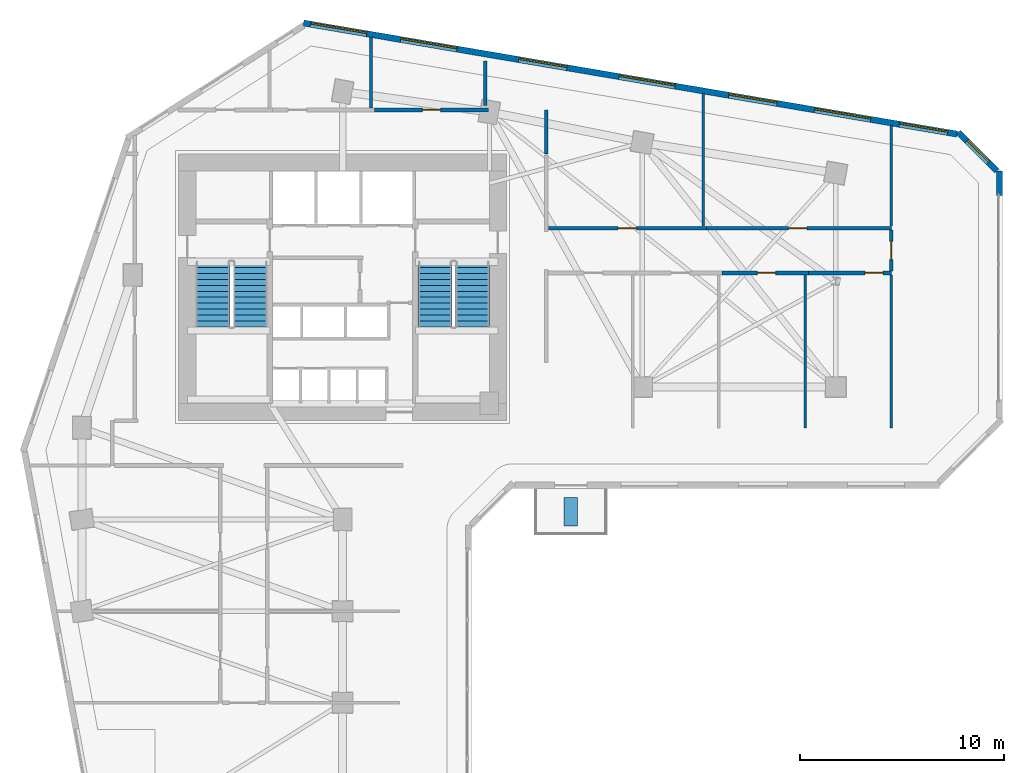
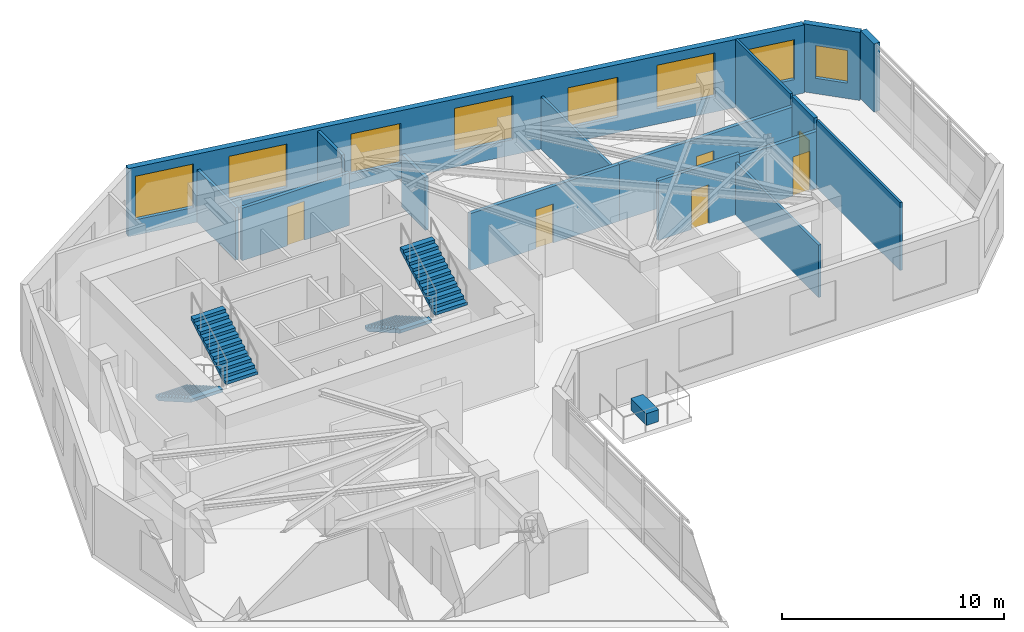
# One storey, part 7 of 9: 16 walls, 8 windows, 6 doors, 4 stair flights, 1 discrete accessory, 14 openings, 2 elements without a shape of their own.
"""IFC4 building model written with IfcOpenShell, lengths in metres."""

from ifc_helpers import new_model, si_unit, direction, frame, frame_2d, origin, origin_2d, place, context, subcontext, project, spatial, polyline, rectangle, outline, extrude, source, transform, mapped, material, layer, layer_set, type_object, element, fill, aggregate, save


model = new_model("IFC4")

# Units and contexts
model_context = context("Model", 3, precision=1e-05, world=origin(), true_north=direction((0.0, 1.0)))
body_context = subcontext(model_context, "Body", "Model", "MODEL_VIEW")
ifc_project = project(units=[si_unit("LENGTHUNIT", "METRE"), si_unit("AREAUNIT", "SQUARE_METRE"), si_unit("VOLUMEUNIT", "CUBIC_METRE"), si_unit("PLANEANGLEUNIT", "RADIAN"), si_unit("MASSUNIT", "GRAM", prefix="KILO")], contexts=[model_context])

# Site, building, storey
site_placement = place(None, origin())
site = spatial("IfcSite", under=ifc_project, at=site_placement, CompositionType="ELEMENT")
building_placement = place(site_placement, origin())
building = spatial("IfcBuilding", under=site, at=building_placement, Name="Calvemar Wedge Station Tower", CompositionType="ELEMENT")
storey_placement = place(building_placement, frame((0.0, 0.0, 91.0)))
storey = spatial("IfcBuildingStorey", under=building, at=storey_placement, Name="L22", CompositionType="ELEMENT", Elevation=91.0)

# Wall, opening, door
ifc_material_1 = material(Name="Double-stud fire-rated corridor partition")
ifc_layer_1 = layer(ifc_material_1, 0.179931640625)
ifc_layer_set_1 = layer_set([ifc_layer_1], Name="Double-stud fire-rated corridor partition")
wall_type_1 = type_object("IfcWallType", Name="W-CORR-180", PredefinedType="PARTITIONING", material=ifc_layer_set_1)
wall_1_placement = place(storey_placement, frame((25.362060546875, 48.60009765625, 0.0), z_axis=(0.0, 0.0, 1.0), x_axis=(1.0, 0.0, 0.0)))
wall_1 = element("IfcWall", 1, at=wall_1_placement, inside=storey, type_object=wall_type_1, Name="Storey L22 Interior Partition WL-L22-012", PredefinedType="PARTITIONING", context=body_context, shape_type="SweptSolid", body=[
    extrude(rectangle(XDim=5.597900390625, YDim=0.179931640625, at=frame_2d((2.798828125, 0.0))), origin(), (0.0, 0.0, 1.0), 2.89208984375),
])
shared_shape_1 = source(origin(), body_context, "Body", "SweptSolid", [
    extrude(rectangle(XDim=0.89990234375, YDim=2.14990234375, at=frame_2d((0.449951171875, 1.074951171875))), frame((0.0, 0.10009765625, 0.0), z_axis=(0.0, -1.0, 0.0), x_axis=(1.0, 0.0, 0.0)), (0.0, 0.0, 1.0), 0.199951171875),
])
opening_1_placement = place(wall_1_placement, frame((2.34912109375, 0.0, 0.0)))
opening_1 = element("IfcOpeningElement", 2, at=opening_1_placement, cuts=wall_1, Name="Opening D-01", PredefinedType="OPENING", context=body_context, shape_type="MappedRepresentation", body=[
    mapped(shared_shape_1, transform((0.0, 0.0, 0.0), scale=1.0)),
])
ifc_material_2 = material(Name="Architectural hardwood acoustic swing door", Category="wood")
door_type = type_object("IfcDoorType", Name="DR-INT-900", OperationType="NOTDEFINED", PredefinedType="DOOR", material=ifc_material_2)
shared_shape_2 = source(origin(), body_context, "Body", "SweptSolid", [
    extrude(rectangle(XDim=0.89990234375, YDim=2.14990234375, at=frame_2d((0.449951171875, 1.074951171875))), frame((0.0, 0.02490234375, 0.0), z_axis=(0.0, -1.0, 0.0), x_axis=(1.0, 0.0, 0.0)), (0.0, 0.0, 1.0), 0.050048828125),
])
door_1_placement = place(opening_1_placement, origin())
door_1 = element("IfcDoor", 3, at=door_1_placement, inside=storey, type_object=door_type, Name="L22 Female Toilet Door", OperationType="SINGLE_SWING_RIGHT", OverallHeight=2.14990234375, OverallWidth=0.89990234375, PredefinedType="DOOR", context=body_context, shape_type="MappedRepresentation", body=[
    mapped(shared_shape_2, transform((0.0, 0.0, 0.0), scale=1.0)),
])
fill(opening_1, door_1)

# Wall
wall_2_placement = place(storey_placement, frame((33.800048828125, 48.60009765625, 0.0), z_axis=(0.0, 0.0, 1.0), x_axis=(0.0, -1.0, 0.0)))
element("IfcWall", 4, at=wall_2_placement, inside=storey, type_object=wall_type_1, Name="Storey L22 Interior Partition WL-L22-013", PredefinedType="PARTITIONING", context=body_context, shape_type="SweptSolid", body=[
    extrude(rectangle(XDim=2.150146484375, YDim=0.179931640625, at=frame_2d((1.0751953125, 0.0))), origin(), (0.0, 0.0, 1.0), 2.89208984375),
])

# Wall, opening, door
wall_3_placement = place(storey_placement, frame((46.660888671875, 40.60009765625, 0.0), z_axis=(0.0, 0.0, 1.0), x_axis=(-1.0, 0.0, 0.0)))
wall_3 = element("IfcWall", 5, at=wall_3_placement, inside=storey, type_object=wall_type_1, Name="Storey L22 Interior Partition WL-L22-021", PredefinedType="PARTITIONING", context=body_context, shape_type="SweptSolid", body=[
    extrude(rectangle(XDim=4.23193359375, YDim=0.179931640625, at=frame_2d((2.115966796875, 0.0))), origin(), (0.0, 0.0, 1.0), 3.279052734375),
])
opening_2_placement = place(wall_3_placement, frame((1.605712890625, 0.0, 0.0)))
opening_2 = element("IfcOpeningElement", 6, at=opening_2_placement, cuts=wall_3, Name="Opening D-01", PredefinedType="OPENING", context=body_context, shape_type="MappedRepresentation", body=[
    mapped(shared_shape_1, transform((0.0, 0.0, 0.0), scale=1.0)),
])
door_2_placement = place(opening_2_placement, origin())
door_2 = element("IfcDoor", 7, at=door_2_placement, inside=storey, type_object=door_type, Name="L22 Co-Working Studio Door", OperationType="SINGLE_SWING_LEFT", OverallHeight=2.14990234375, OverallWidth=0.89990234375, PredefinedType="DOOR", context=body_context, shape_type="MappedRepresentation", body=[
    mapped(shared_shape_2, transform((0.0, 0.0, 0.0), scale=1.0)),
])
fill(opening_2, door_2)

wall_4_placement = place(storey_placement, frame((50.735107421875, 40.60009765625, 0.0), z_axis=(0.0, 0.0, 1.0), x_axis=(-1.0, 0.0, 0.0)))
wall_4 = element("IfcWall", 8, at=wall_4_placement, inside=storey, type_object=wall_type_1, Name="Storey L22 Interior Partition WL-L22-022", PredefinedType="PARTITIONING", context=body_context, shape_type="SweptSolid", body=[
    extrude(rectangle(XDim=4.072021484375, YDim=0.179931640625, at=frame_2d((2.0361328125, 0.0))), origin(), (0.0, 0.0, 1.0), 3.125),
])
opening_3_placement = place(wall_4_placement, frame((0.404296875, 0.0, 0.0)))
opening_3 = element("IfcOpeningElement", 9, at=opening_3_placement, cuts=wall_4, Name="Opening D-01", PredefinedType="OPENING", context=body_context, shape_type="MappedRepresentation", body=[
    mapped(shared_shape_1, transform((0.0, 0.0, 0.0), scale=1.0)),
])
door_3_placement = place(opening_3_placement, origin())
door_3 = element("IfcDoor", 10, at=door_3_placement, inside=storey, type_object=door_type, Name="L22 Meeting Room Door", OperationType="SINGLE_SWING_RIGHT", OverallHeight=2.14990234375, OverallWidth=0.89990234375, PredefinedType="DOOR", context=body_context, shape_type="MappedRepresentation", body=[
    mapped(shared_shape_2, transform((0.0, 0.0, 0.0), scale=1.0)),
])
fill(opening_3, door_3)

wall_5_placement = place(storey_placement, frame((33.89404296875, 42.800048828125, 0.0), z_axis=(0.0, 0.0, 1.0), x_axis=(1.0, 0.0, 0.0)))
wall_5 = element("IfcWall", 11, at=wall_5_placement, inside=storey, type_object=wall_type_1, Name="Storey L22 Interior Partition WL-L22-023", PredefinedType="PARTITIONING", context=body_context, shape_type="SweptSolid", body=[
    extrude(rectangle(XDim=7.765869140625, YDim=0.179931640625, at=frame_2d((3.8828125, 0.0))), origin(), (0.0, 0.0, 1.0), 3.125),
])
opening_4_placement = place(wall_5_placement, frame((3.43310546875, 0.0, 0.0)))
opening_4 = element("IfcOpeningElement", 12, at=opening_4_placement, cuts=wall_5, Name="Opening D-01", PredefinedType="OPENING", context=body_context, shape_type="MappedRepresentation", body=[
    mapped(shared_shape_1, transform((0.0, 0.0, 0.0), scale=1.0)),
])
door_4_placement = place(opening_4_placement, origin())
door_4 = element("IfcDoor", 13, at=door_4_placement, inside=storey, type_object=door_type, Name="L22 Meeting Room Door", OperationType="SINGLE_SWING_LEFT", OverallHeight=2.14990234375, OverallWidth=0.89990234375, PredefinedType="DOOR", context=body_context, shape_type="MappedRepresentation", body=[
    mapped(shared_shape_2, transform((0.0, 0.0, 0.0), scale=1.0)),
])
fill(opening_4, door_4)

wall_6_placement = place(storey_placement, frame((41.662109375, 42.800048828125, 0.0), z_axis=(0.0, 0.0, 1.0), x_axis=(1.0, 0.0, 0.0)))
wall_6 = element("IfcWall", 14, at=wall_6_placement, inside=storey, type_object=wall_type_1, Name="Storey L22 Interior Partition WL-L22-024", PredefinedType="PARTITIONING", context=body_context, shape_type="SweptSolid", body=[
    extrude(rectangle(XDim=9.072998046875, YDim=0.179931640625, at=frame_2d((4.53662109375, 0.0))), origin(), (0.0, 0.0, 1.0), 3.125),
])
opening_5_placement = place(wall_6_placement, frame((4.026123046875, 0.0, 0.0)))
opening_5 = element("IfcOpeningElement", 15, at=opening_5_placement, cuts=wall_6, Name="Opening D-01", PredefinedType="OPENING", context=body_context, shape_type="MappedRepresentation", body=[
    mapped(shared_shape_1, transform((0.0, 0.0, 0.0), scale=1.0)),
])
door_5_placement = place(opening_5_placement, origin())
door_5 = element("IfcDoor", 16, at=door_5_placement, inside=storey, type_object=door_type, Name="L22 Co-Working Studio Door", OperationType="SINGLE_SWING_RIGHT", OverallHeight=2.14990234375, OverallWidth=0.89990234375, PredefinedType="DOOR", context=body_context, shape_type="MappedRepresentation", body=[
    mapped(shared_shape_2, transform((0.0, 0.0, 0.0), scale=1.0)),
])
fill(opening_5, door_5)

wall_7_placement = place(storey_placement, frame((50.735107421875, 42.7060546875, 0.0), z_axis=(0.0, 0.0, 1.0), x_axis=(0.0, -1.0, 0.0)))
wall_7 = element("IfcWall", 17, at=wall_7_placement, inside=storey, type_object=wall_type_1, Name="Storey L22 Interior Partition WL-L22-025", PredefinedType="PARTITIONING", context=body_context, shape_type="SweptSolid", body=[
    extrude(rectangle(XDim=2.011962890625, YDim=0.179931640625, at=frame_2d((1.005859375, 0.0))), origin(), (0.0, 0.0, 1.0), 3.75),
])
opening_6_placement = place(wall_7_placement, frame((0.555908203125, 0.0, 0.0)))
opening_6 = element("IfcOpeningElement", 18, at=opening_6_placement, cuts=wall_7, Name="Opening D-01", PredefinedType="OPENING", context=body_context, shape_type="MappedRepresentation", body=[
    mapped(shared_shape_1, transform((0.0, 0.0, 0.0), scale=1.0)),
])
door_6_placement = place(opening_6_placement, origin())
door_6 = element("IfcDoor", 19, at=door_6_placement, inside=storey, type_object=door_type, Name="L22 Conference Hall Door", OperationType="SINGLE_SWING_LEFT", OverallHeight=2.14990234375, OverallWidth=0.89990234375, PredefinedType="DOOR", context=body_context, shape_type="MappedRepresentation", body=[
    mapped(shared_shape_2, transform((0.0, 0.0, 0.0), scale=1.0)),
])
fill(opening_6, door_6)

# Wall
ifc_material_3 = material(Name="Precast concrete C45", Category="concrete")
ifc_layer_2 = layer(ifc_material_3, 0.300048828125)
ifc_layer_set_2 = layer_set([ifc_layer_2], Name="Precast concrete C45")
wall_type_2 = type_object("IfcWallType", Name="W-EXT-GFRC-300", PredefinedType="SOLIDWALL", material=ifc_layer_set_2)
wall_8_placement = place(storey_placement, frame((56.050048828125, 44.390869140625, 0.0), z_axis=(0.0, 0.0, 1.0), x_axis=(0.0, 1.0, 0.0)))
element("IfcWall", 20, at=wall_8_placement, inside=storey, type_object=wall_type_2, Name="Storey L22 Bronze GFRC Corner Pier 8B", PredefinedType="SOLIDWALL", context=body_context, shape_type="SweptSolid", body=[
    extrude(rectangle(XDim=1.22509765625, YDim=0.300048828125, at=frame_2d((0.612548828125, 0.0))), origin(), (0.0, 0.0, 1.0), 3.75),
])

# Wall, opening, window
wall_9_placement = place(storey_placement, frame((55.912109375, 45.60400390625, 0.0), z_axis=(0.0, 0.0, 1.0), x_axis=(-0.707152443695, 0.707061115729, 0.0)))
wall_9 = element("IfcWall", 21, at=wall_9_placement, inside=storey, type_object=wall_type_2, Name="Storey L22 Bronze GFRC Exterior Wall 9", PredefinedType="SOLIDWALL", context=body_context, shape_type="SweptSolid", body=[
    extrude(rectangle(XDim=2.67333984375, YDim=0.300048828125, at=frame_2d((1.336669921875, 0.0))), origin(), (0.0, 0.0, 1.0), 3.75),
])
shared_shape_3 = source(origin(), body_context, "Body", "SweptSolid", [
    extrude(rectangle(XDim=1.5, YDim=1.800048828125, at=frame_2d((0.75, 0.89990234375))), frame((0.0, 0.16015625, 0.0), z_axis=(0.0, -1.0, 0.0), x_axis=(1.0, 0.0, 0.0)), (0.0, 0.0, 1.0), 0.320068359375),
])
opening_7_placement = place(wall_9_placement, frame((0.5869140625, 0.0, 0.85009765625)))
opening_7 = element("IfcOpeningElement", 22, at=opening_7_placement, cuts=wall_9, Name="Opening W3", PredefinedType="OPENING", context=body_context, shape_type="MappedRepresentation", body=[
    mapped(shared_shape_3, transform((0.0, 0.0, 0.0), scale=1.0)),
])
ifc_material_4 = material(Name="Low-E laminated insulated glass", Category="glass")
window_type_1 = type_object("IfcWindowType", Name="WIN-EXT-3", PartitioningType="SINGLE_PANEL", PredefinedType="WINDOW", material=ifc_material_4)
shared_shape_4 = source(origin(), body_context, "Body", "SweptSolid", [
    extrude(rectangle(XDim=1.5, YDim=1.800048828125, at=frame_2d((0.75, 0.89990234375))), frame((0.0, -0.014892578125, 0.0), z_axis=(0.0, -1.0, 0.0), x_axis=(1.0, 0.0, 0.0)), (0.0, 0.0, 1.0), 0.06005859375),
])
window_1_placement = place(opening_7_placement, origin())
window_1 = element("IfcWindow", 23, at=window_1_placement, inside=storey, type_object=window_type_1, Name="Storey L22 Recessed Window 9.1", OverallHeight=1.800048828125, OverallWidth=1.5, PartitioningType="SINGLE_PANEL", PredefinedType="WINDOW", context=body_context, shape_type="MappedRepresentation", body=[
    mapped(shared_shape_4, transform((0.0, 0.0, 0.0), scale=1.0)),
])
fill(opening_7, window_1)

# Wall, openings, windows
wall_10_placement = place(storey_placement, frame((53.9609375, 47.41650390625, 0.0), z_axis=(0.0, 0.0, 1.0), x_axis=(-0.985865713455, 0.167537443678, 0.0)))
wall_10 = element("IfcWall", 24, at=wall_10_placement, inside=storey, type_object=wall_type_2, Name="Storey L22 Bronze GFRC Exterior Wall 10", PredefinedType="SOLIDWALL", context=body_context, shape_type="SweptSolid", body=[
    extrude(rectangle(XDim=32.537109375, YDim=0.300048828125, at=frame_2d((16.2685546875, 0.0))), origin(), (0.0, 0.0, 1.0), 3.75),
])
shared_shape_5 = source(origin(), body_context, "Body", "SweptSolid", [
    extrude(rectangle(XDim=2.39990234375, YDim=2.199951171875, at=frame_2d((1.199951171875, 1.10009765625))), frame((0.0, 0.16015625, 0.0), z_axis=(0.0, -1.0, 0.0), x_axis=(1.0, 0.0, 0.0)), (0.0, 0.0, 1.0), 0.320068359375),
])
opening_8_placement = place(wall_10_placement, frame((0.47607421875, 0.0, 0.85009765625)))
opening_8 = element("IfcOpeningElement", 25, at=opening_8_placement, cuts=wall_10, Name="Opening W1", PredefinedType="OPENING", context=body_context, shape_type="MappedRepresentation", body=[
    mapped(shared_shape_5, transform((0.0, 0.0, 0.0), scale=1.0)),
])
shared_shape_6 = source(origin(), body_context, "Body", "SweptSolid", [
    extrude(rectangle(XDim=2.800048828125, YDim=2.39990234375, at=frame_2d((1.39990234375, 1.199951171875))), frame((0.0, 0.16015625, 0.0), z_axis=(0.0, -1.0, 0.0), x_axis=(1.0, 0.0, 0.0)), (0.0, 0.0, 1.0), 0.320068359375),
])
opening_9_placement = place(wall_10_placement, frame((4.303955078125, 0.0, 0.85009765625)))
opening_9 = element("IfcOpeningElement", 26, at=opening_9_placement, cuts=wall_10, Name="Opening W6", PredefinedType="OPENING", context=body_context, shape_type="MappedRepresentation", body=[
    mapped(shared_shape_6, transform((0.0, 0.0, 0.0), scale=1.0)),
])
opening_10_placement = place(wall_10_placement, frame((8.968017578125, 0.0, 0.85009765625)))
opening_10 = element("IfcOpeningElement", 27, at=opening_10_placement, cuts=wall_10, Name="Opening W1", PredefinedType="OPENING", context=body_context, shape_type="MappedRepresentation", body=[
    mapped(shared_shape_5, transform((0.0, 0.0, 0.0), scale=1.0)),
])
opening_11_placement = place(wall_10_placement, frame((14.033935546875, 0.0, 0.85009765625)))
opening_11 = element("IfcOpeningElement", 28, at=opening_11_placement, cuts=wall_10, Name="Opening W6", PredefinedType="OPENING", context=body_context, shape_type="MappedRepresentation", body=[
    mapped(shared_shape_6, transform((0.0, 0.0, 0.0), scale=1.0)),
])
opening_12_placement = place(wall_10_placement, frame((19.422119140625, 0.0, 0.85009765625)))
opening_12 = element("IfcOpeningElement", 29, at=opening_12_placement, cuts=wall_10, Name="Opening W1", PredefinedType="OPENING", context=body_context, shape_type="MappedRepresentation", body=[
    mapped(shared_shape_5, transform((0.0, 0.0, 0.0), scale=1.0)),
])
opening_13_placement = place(wall_10_placement, frame((24.89501953125, 0.0, 0.85009765625)))
opening_13 = element("IfcOpeningElement", 30, at=opening_13_placement, cuts=wall_10, Name="Opening W6", PredefinedType="OPENING", context=body_context, shape_type="MappedRepresentation", body=[
    mapped(shared_shape_6, transform((0.0, 0.0, 0.0), scale=1.0)),
])
opening_14_placement = place(wall_10_placement, frame((29.39501953125, 0.0, 0.85009765625)))
opening_14 = element("IfcOpeningElement", 31, at=opening_14_placement, cuts=wall_10, Name="Opening W6", PredefinedType="OPENING", context=body_context, shape_type="MappedRepresentation", body=[
    mapped(shared_shape_6, transform((0.0, 0.0, 0.0), scale=1.0)),
])
window_type_2 = type_object("IfcWindowType", Name="WIN-EXT-6", PartitioningType="SINGLE_PANEL", PredefinedType="WINDOW", material=ifc_material_4)
shared_shape_7 = source(origin(), body_context, "Body", "SweptSolid", [
    extrude(rectangle(XDim=2.800048828125, YDim=2.39990234375, at=frame_2d((1.39990234375, 1.199951171875))), frame((0.0, -0.014892578125, 0.0), z_axis=(0.0, -1.0, 0.0), x_axis=(1.0, 0.0, 0.0)), (0.0, 0.0, 1.0), 0.06005859375),
])
window_2_placement = place(opening_9_placement, origin())
window_2 = element("IfcWindow", 32, at=window_2_placement, inside=storey, type_object=window_type_2, Name="Storey L22 Recessed Window 10.2", OverallHeight=2.39990234375, OverallWidth=2.800048828125, PartitioningType="SINGLE_PANEL", PredefinedType="WINDOW", context=body_context, shape_type="MappedRepresentation", body=[
    mapped(shared_shape_7, transform((0.0, 0.0, 0.0), scale=1.0)),
])
fill(opening_9, window_2)
window_3_placement = place(opening_11_placement, origin())
window_3 = element("IfcWindow", 33, at=window_3_placement, inside=storey, type_object=window_type_2, Name="Storey L22 Recessed Window 10.4", OverallHeight=2.39990234375, OverallWidth=2.800048828125, PartitioningType="SINGLE_PANEL", PredefinedType="WINDOW", context=body_context, shape_type="MappedRepresentation", body=[
    mapped(shared_shape_7, transform((0.0, 0.0, 0.0), scale=1.0)),
])
fill(opening_11, window_3)
window_4_placement = place(opening_13_placement, origin())
window_4 = element("IfcWindow", 34, at=window_4_placement, inside=storey, type_object=window_type_2, Name="Storey L22 Recessed Window 10.6", OverallHeight=2.39990234375, OverallWidth=2.800048828125, PartitioningType="SINGLE_PANEL", PredefinedType="WINDOW", context=body_context, shape_type="MappedRepresentation", body=[
    mapped(shared_shape_7, transform((0.0, 0.0, 0.0), scale=1.0)),
])
fill(opening_13, window_4)
window_5_placement = place(opening_14_placement, origin())
window_5 = element("IfcWindow", 35, at=window_5_placement, inside=storey, type_object=window_type_2, Name="Storey L22 Recessed Window 10.7", OverallHeight=2.39990234375, OverallWidth=2.800048828125, PartitioningType="SINGLE_PANEL", PredefinedType="WINDOW", context=body_context, shape_type="MappedRepresentation", body=[
    mapped(shared_shape_7, transform((0.0, 0.0, 0.0), scale=1.0)),
])
fill(opening_14, window_5)
window_type_3 = type_object("IfcWindowType", Name="WIN-EXT-1", PartitioningType="SINGLE_PANEL", PredefinedType="WINDOW", material=ifc_material_4)
shared_shape_8 = source(origin(), body_context, "Body", "SweptSolid", [
    extrude(rectangle(XDim=2.39990234375, YDim=2.199951171875, at=frame_2d((1.199951171875, 1.10009765625))), frame((0.0, -0.014892578125, 0.0), z_axis=(0.0, -1.0, 0.0), x_axis=(1.0, 0.0, 0.0)), (0.0, 0.0, 1.0), 0.06005859375),
])
window_6_placement = place(opening_8_placement, origin())
window_6 = element("IfcWindow", 36, at=window_6_placement, inside=storey, type_object=window_type_3, Name="Storey L22 Recessed Window 10.1", OverallHeight=2.199951171875, OverallWidth=2.39990234375, PartitioningType="SINGLE_PANEL", PredefinedType="WINDOW", context=body_context, shape_type="MappedRepresentation", body=[
    mapped(shared_shape_8, transform((0.0, 0.0, 0.0), scale=1.0)),
])
fill(opening_8, window_6)
window_7_placement = place(opening_10_placement, origin())
window_7 = element("IfcWindow", 37, at=window_7_placement, inside=storey, type_object=window_type_3, Name="Storey L22 Recessed Window 10.3", OverallHeight=2.199951171875, OverallWidth=2.39990234375, PartitioningType="SINGLE_PANEL", PredefinedType="WINDOW", context=body_context, shape_type="MappedRepresentation", body=[
    mapped(shared_shape_8, transform((0.0, 0.0, 0.0), scale=1.0)),
])
fill(opening_10, window_7)
window_8_placement = place(opening_12_placement, origin())
window_8 = element("IfcWindow", 38, at=window_8_placement, inside=storey, type_object=window_type_3, Name="Storey L22 Recessed Window 10.5", OverallHeight=2.199951171875, OverallWidth=2.39990234375, PartitioningType="SINGLE_PANEL", PredefinedType="WINDOW", context=body_context, shape_type="MappedRepresentation", body=[
    mapped(shared_shape_8, transform((0.0, 0.0, 0.0), scale=1.0)),
])
fill(opening_12, window_8)

# Walls
ifc_material_5 = material(Name="Insulated acoustic gypsum stud partition")
ifc_layer_3 = layer(ifc_material_5, 0.125)
ifc_layer_set_3 = layer_set([ifc_layer_3], Name="Insulated acoustic gypsum stud partition")
wall_type_3 = type_object("IfcWallType", Name="W-PART-125", PredefinedType="PARTITIONING", material=ifc_layer_set_3)
wall_11_placement = place(storey_placement, frame((46.5009765625, 40.506103515625, 0.0), z_axis=(0.0, 0.0, 1.0), x_axis=(0.0, -1.0, 0.0)))
element("IfcWall", 39, at=wall_11_placement, inside=storey, type_object=wall_type_3, Name="Storey L22 Interior Partition WL-L22-028", PredefinedType="PARTITIONING", context=body_context, shape_type="SweptSolid", body=[
    extrude(rectangle(XDim=7.506103515625, YDim=0.125, at=frame_2d((3.7529296875, 0.0))), origin(), (0.0, 0.0, 1.0), 2.89208984375),
])
wall_12_placement = place(storey_placement, frame((50.735107421875, 40.506103515625, 0.0), z_axis=(0.0, 0.0, 1.0), x_axis=(0.0, -1.0, 0.0)))
element("IfcWall", 40, at=wall_12_placement, inside=storey, type_object=wall_type_3, Name="Storey L22 Interior Partition WL-L22-029", PredefinedType="PARTITIONING", context=body_context, shape_type="SweptSolid", body=[
    extrude(rectangle(XDim=7.506103515625, YDim=0.125, at=frame_2d((3.7529296875, 0.0))), origin(), (0.0, 0.0, 1.0), 3.75),
])
wall_13_placement = place(storey_placement, frame((41.5, 49.41748046875, 0.0), z_axis=(0.0, 0.0, 1.0), x_axis=(0.0, -1.0, 0.0)))
element("IfcWall", 41, at=wall_13_placement, inside=storey, type_object=wall_type_3, Name="Storey L22 Interior Partition WL-L22-030", PredefinedType="PARTITIONING", context=body_context, shape_type="SweptSolid", body=[
    extrude(rectangle(XDim=6.5234375, YDim=0.125, at=frame_2d((3.26171875, 0.0))), origin(), (0.0, 0.0, 1.0), 2.89208984375),
])
wall_14_placement = place(storey_placement, frame((50.735107421875, 47.847900390625, 0.0), z_axis=(0.0, 0.0, 1.0), x_axis=(0.0, -1.0, 0.0)))
element("IfcWall", 42, at=wall_14_placement, inside=storey, type_object=wall_type_3, Name="Storey L22 Interior Partition WL-L22-031", PredefinedType="PARTITIONING", context=body_context, shape_type="SweptSolid", body=[
    extrude(rectangle(XDim=4.953857421875, YDim=0.125, at=frame_2d((2.47705078125, 0.0))), origin(), (0.0, 0.0, 1.0), 3.75),
])
ifc_material_6 = material(Name="Moisture-resistant acoustic bathroom partition")
ifc_layer_4 = layer(ifc_material_6, 0.14990234375)
ifc_layer_set_4 = layer_set([ifc_layer_4], Name="Moisture-resistant acoustic bathroom partition")
wall_type_4 = type_object("IfcWallType", Name="W-WET-150", PredefinedType="PARTITIONING", material=ifc_layer_set_4)
wall_15_placement = place(storey_placement, frame((25.199951171875, 52.1875, 0.0), z_axis=(0.0, 0.0, 1.0), x_axis=(0.0, -1.0, 0.0)))
element("IfcWall", 43, at=wall_15_placement, inside=storey, type_object=wall_type_4, Name="Storey L22 Interior Partition WL-L22-018", PredefinedType="PARTITIONING", context=body_context, shape_type="SweptSolid", body=[
    extrude(rectangle(XDim=3.493408203125, YDim=0.14990234375, at=frame_2d((1.74658203125, 0.0))), origin(), (0.0, 0.0, 1.0), 2.89208984375),
])
wall_16_placement = place(storey_placement, frame((30.800048828125, 51.0126953125, 0.0), z_axis=(0.0, 0.0, 1.0), x_axis=(0.0, -1.0, 0.0)))
element("IfcWall", 44, at=wall_16_placement, inside=storey, type_object=wall_type_4, Name="Storey L22 Bathroom Enclosure Wall WL-L22-041", PredefinedType="PARTITIONING", context=body_context, shape_type="SweptSolid", body=[
    extrude(rectangle(XDim=2.192626953125, YDim=0.14990234375, at=frame_2d((1.09619140625, 0.0))), origin(), (0.0, 0.0, 1.0), 3.75),
])

# Stair, stair flights
ifc_material_7 = material(Name="Concrete C45", Category="concrete")
stair_type = type_object("IfcStairType", Name="ST-TYPE-4000", PredefinedType="HALF_TURN_STAIR", material=ifc_material_7)
stair_1_placement = place(storey_placement, origin())
stair_1 = element("IfcStair", 45, at=stair_1_placement, inside=storey, type_object=stair_type, Name="L22 Pressurized Core Exit Stair ST-C1", PredefinedType="HALF_TURN_STAIR")
stair_flight_type = type_object("IfcStairFlightType", Name="STF-TYPE-4000", PredefinedType="STRAIGHT", material=ifc_material_7)
stair_flight_1_placement = place(storey_placement, frame((17.429931640625, 41.14990234375, 0.0), z_axis=(0.0, 0.0, 1.0), x_axis=(0.0, -1.0, 0.0)))
stair_flight_1 = element("IfcStairFlight", 46, at=stair_flight_1_placement, type_object=stair_flight_type, Name="ST-C1 flight 1", NumberOfRisers=12, NumberOfTreads=11, PredefinedType="STRAIGHT", RiserHeight=0.166666667, TreadLength=0.29, context=body_context, shape_type="SweptSolid", body=[
    extrude(outline(polyline([(0.0, 0.0), (0.0, 0.166748046875), (0.2900390625, 0.166748046875), (0.2900390625, 0.333251953125), (0.580078125, 0.333251953125), (0.580078125, 0.5), (0.8701171875, 0.5), (0.8701171875, 0.666748046875), (1.159912109375, 0.666748046875), (1.159912109375, 0.833251953125), (1.449951171875, 0.833251953125), (1.449951171875, 1.0), (1.739990234375, 1.0), (1.739990234375, 1.166748046875), (2.030029296875, 1.166748046875), (2.030029296875, 1.333251953125), (2.320068359375, 1.333251953125), (2.320068359375, 1.5), (2.610107421875, 1.5), (2.610107421875, 1.666748046875), (2.89990234375, 1.666748046875), (2.89990234375, 1.833251953125), (3.18994140625, 1.833251953125), (3.18994140625, 2.0), (3.18994140625, 1.660400390625), (0.30078125, 0.0), (0.0, 0.0)])), frame((0.0, 0.830078125, 0.0), z_axis=(0.0, -1.0, 0.0), x_axis=(1.0, 0.0, 0.0)), (0.0, 0.0, 1.0), 1.659912109375),
])
stair_flight_2_placement = place(storey_placement, frame((19.27001953125, 37.9599609375, 2.0), z_axis=(0.0, 0.0, 1.0), x_axis=(0.0, 1.0, 0.0)))
stair_flight_2 = element("IfcStairFlight", 47, at=stair_flight_2_placement, type_object=stair_flight_type, Name="ST-C1 flight 2", NumberOfRisers=12, NumberOfTreads=11, PredefinedType="STRAIGHT", RiserHeight=0.166666667, TreadLength=0.29, context=body_context, shape_type="SweptSolid", body=[
    extrude(outline(polyline([(0.0, 0.0), (0.0, 0.166748046875), (0.2900390625, 0.166748046875), (0.2900390625, 0.333251953125), (0.580078125, 0.333251953125), (0.580078125, 0.5), (0.8701171875, 0.5), (0.8701171875, 0.666748046875), (1.159912109375, 0.666748046875), (1.159912109375, 0.833251953125), (1.449951171875, 0.833251953125), (1.449951171875, 1.0), (1.739990234375, 1.0), (1.739990234375, 1.166748046875), (2.030029296875, 1.166748046875), (2.030029296875, 1.333251953125), (2.320068359375, 1.333251953125), (2.320068359375, 1.5), (2.610107421875, 1.5), (2.610107421875, 1.666748046875), (2.89990234375, 1.666748046875), (2.89990234375, 1.833251953125), (3.18994140625, 1.833251953125), (3.18994140625, 2.0), (3.18994140625, 1.660400390625), (0.30078125, 0.0), (0.0, 0.0)])), frame((0.0, 0.830078125, 0.0), z_axis=(0.0, -1.0, 0.0), x_axis=(1.0, 0.0, 0.0)), (0.0, 0.0, 1.0), 1.659912109375),
])
aggregate(stair_1, [stair_flight_1, stair_flight_2])

stair_2_placement = place(storey_placement, origin())
stair_2 = element("IfcStair", 48, at=stair_2_placement, inside=storey, type_object=stair_type, Name="L22 Pressurized Core Exit Stair ST-C2", PredefinedType="HALF_TURN_STAIR")
stair_flight_3_placement = place(storey_placement, frame((28.330078125, 41.14990234375, 0.0), z_axis=(0.0, 0.0, 1.0), x_axis=(0.0, -1.0, 0.0)))
stair_flight_3 = element("IfcStairFlight", 49, at=stair_flight_3_placement, type_object=stair_flight_type, Name="ST-C2 flight 1", NumberOfRisers=12, NumberOfTreads=11, PredefinedType="STRAIGHT", RiserHeight=0.166666667, TreadLength=0.29, context=body_context, shape_type="SweptSolid", body=[
    extrude(outline(polyline([(0.0, 0.0), (0.0, 0.166748046875), (0.2900390625, 0.166748046875), (0.2900390625, 0.333251953125), (0.580078125, 0.333251953125), (0.580078125, 0.5), (0.8701171875, 0.5), (0.8701171875, 0.666748046875), (1.159912109375, 0.666748046875), (1.159912109375, 0.833251953125), (1.449951171875, 0.833251953125), (1.449951171875, 1.0), (1.739990234375, 1.0), (1.739990234375, 1.166748046875), (2.030029296875, 1.166748046875), (2.030029296875, 1.333251953125), (2.320068359375, 1.333251953125), (2.320068359375, 1.5), (2.610107421875, 1.5), (2.610107421875, 1.666748046875), (2.89990234375, 1.666748046875), (2.89990234375, 1.833251953125), (3.18994140625, 1.833251953125), (3.18994140625, 2.0), (3.18994140625, 1.660400390625), (0.30078125, 0.0), (0.0, 0.0)])), frame((0.0, 0.830078125, 0.0), z_axis=(0.0, -1.0, 0.0), x_axis=(1.0, 0.0, 0.0)), (0.0, 0.0, 1.0), 1.659912109375),
])
stair_flight_4_placement = place(storey_placement, frame((30.169921875, 37.9599609375, 2.0), z_axis=(0.0, 0.0, 1.0), x_axis=(0.0, 1.0, 0.0)))
stair_flight_4 = element("IfcStairFlight", 50, at=stair_flight_4_placement, type_object=stair_flight_type, Name="ST-C2 flight 2", NumberOfRisers=12, NumberOfTreads=11, PredefinedType="STRAIGHT", RiserHeight=0.166666667, TreadLength=0.29, context=body_context, shape_type="SweptSolid", body=[
    extrude(outline(polyline([(0.0, 0.0), (0.0, 0.166748046875), (0.2900390625, 0.166748046875), (0.2900390625, 0.333251953125), (0.580078125, 0.333251953125), (0.580078125, 0.5), (0.8701171875, 0.5), (0.8701171875, 0.666748046875), (1.159912109375, 0.666748046875), (1.159912109375, 0.833251953125), (1.449951171875, 0.833251953125), (1.449951171875, 1.0), (1.739990234375, 1.0), (1.739990234375, 1.166748046875), (2.030029296875, 1.166748046875), (2.030029296875, 1.333251953125), (2.320068359375, 1.333251953125), (2.320068359375, 1.5), (2.610107421875, 1.5), (2.610107421875, 1.666748046875), (2.89990234375, 1.666748046875), (2.89990234375, 1.833251953125), (3.18994140625, 1.833251953125), (3.18994140625, 2.0), (3.18994140625, 1.660400390625), (0.30078125, 0.0), (0.0, 0.0)])), frame((0.0, 0.830078125, 0.0), z_axis=(0.0, -1.0, 0.0), x_axis=(1.0, 0.0, 0.0)), (0.0, 0.0, 1.0), 1.659912109375),
])
aggregate(stair_2, [stair_flight_3, stair_flight_4])

# Discrete accessory
discrete_accessory_type = type_object("IfcDiscreteAccessoryType", Name="ACC-PLANTER", PredefinedType="USERDEFINED", material=ifc_material_3)
shared_shape_9 = source(origin(), body_context, "Body", "SweptSolid", [
    extrude(rectangle(XDim=0.64990234375, YDim=1.39990234375, at=origin_2d()), origin(), (0.0, 0.0, 1.0), 0.64990234375),
])
discrete_accessory_placement = place(storey_placement, frame((35.0, 28.8779296875, 0.0), z_axis=(0.0, 0.0, 1.0), x_axis=(1.0, 0.0, 0.0)))
element("IfcDiscreteAccessory", 51, at=discrete_accessory_placement, inside=storey, type_object=discrete_accessory_type, Name="Storey L22 Planted Terrace GFRC Planter", ObjectType="PLANTER", PredefinedType="USERDEFINED", context=body_context, shape_type="MappedRepresentation", body=[
    mapped(shared_shape_9, transform((0.0, 0.0, 0.0), scale=1.0)),
])

save(model, "model.ifc")
